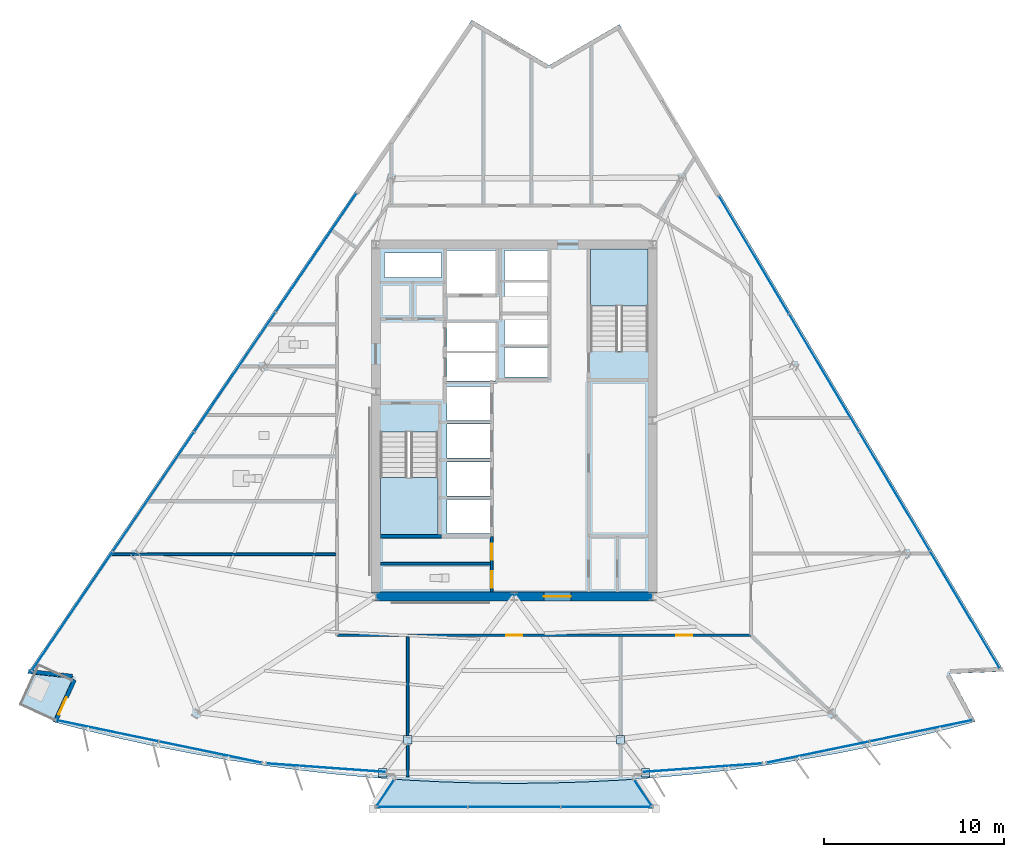
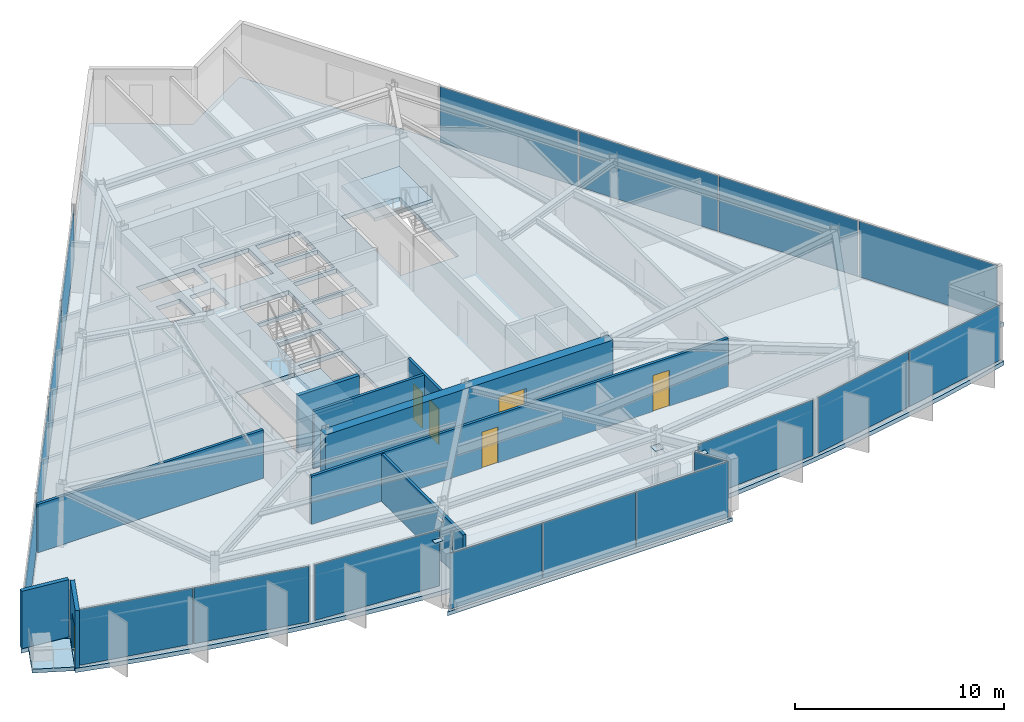
# One storey, part 8 of 16: 23 plates, 9 walls, 6 doors, 5 slabs, 6 openings, 11 elements without a shape of their own.
"""IFC4 building model written with IfcOpenShell, lengths in metres."""

from ifc_helpers import new_model, si_unit, direction, frame, frame_2d, origin, origin_2d, place, context, subcontext, project, spatial, polyline, rectangle, outline, extrude, material, layer, layer_set, type_object, element, fill, aggregate, save


model = new_model("IFC4")

# Units and contexts
model_context = context("Model", 3, precision=1e-05, world=origin(), true_north=direction((0.0, 1.0)))
body_context = subcontext(model_context, "Body", "Model", "MODEL_VIEW")
ifc_project = project(units=[si_unit("LENGTHUNIT", "METRE"), si_unit("AREAUNIT", "SQUARE_METRE"), si_unit("VOLUMEUNIT", "CUBIC_METRE"), si_unit("PLANEANGLEUNIT", "RADIAN"), si_unit("MASSUNIT", "GRAM", prefix="KILO")], contexts=[model_context])

# Site, building, storey
site_placement = place(None, origin())
site = spatial("IfcSite", under=ifc_project, at=site_placement, CompositionType="ELEMENT")
building_placement = place(site_placement, origin())
building = spatial("IfcBuilding", under=site, at=building_placement, Name="Savorim Split Tower", CompositionType="ELEMENT")
storey_placement = place(building_placement, frame((0.0, 0.0, 160.199951171875)))
storey = spatial("IfcBuildingStorey", under=building, at=storey_placement, Name="L42", CompositionType="ELEMENT", Elevation=160.199951171875)

# Curtain wall, plates
ifc_material_1 = material(Name="Dark Ceramic-Fritted Insulated Glass", Category="glass")
curtain_wall_type_1 = type_object("IfcCurtainWallType", Name="CW-TWR-FRIT-B", PredefinedType="NOTDEFINED", material=ifc_material_1)
curtain_wall_1_placement = place(storey_placement, origin())
curtain_wall_1 = element("IfcCurtainWall", 1, at=curtain_wall_1_placement, inside=storey, type_object=curtain_wall_type_1, Name="L42 Curtain Wall CW-L42-SF1A", PredefinedType="NOTDEFINED")
ifc_layer_1 = layer(ifc_material_1, 0.02587890625)
ifc_layer_set_1 = layer_set([ifc_layer_1], Name="CWP-FRITB-26")
plate_type_1 = type_object("IfcPlateType", Name="CWP-FRITB-26", PredefinedType="CURTAIN_PANEL", material=ifc_layer_set_1)
plate_1_placement = place(storey_placement, frame((-22.65234375, -16.870849609375, 0.050048828125), z_axis=(0.0, 0.0, 1.0), x_axis=(0.979134697741, -0.20321231183, 0.0)))
plate_1 = element("IfcPlate", 2, at=plate_1_placement, type_object=plate_type_1, Name="CW-03 panel 1.1", PredefinedType="CURTAIN_PANEL", context=body_context, shape_type="SweptSolid", body=[
    extrude(rectangle(XDim=5.80126953125, YDim=0.02587890625, at=origin_2d()), origin(), (0.0, 0.0, 1.0), 3.25),
])
plate_2_placement = place(storey_placement, frame((-16.913330078125, -18.06201171875, 0.050048828125), z_axis=(0.0, 0.0, 1.0), x_axis=(0.979134697741, -0.20321231183, 0.0)))
plate_2 = element("IfcPlate", 3, at=plate_2_placement, type_object=plate_type_1, Name="CW-03 panel 2.1", PredefinedType="CURTAIN_PANEL", context=body_context, shape_type="SweptSolid", body=[
    extrude(rectangle(XDim=5.80126953125, YDim=0.02587890625, at=origin_2d()), origin(), (0.0, 0.0, 1.0), 3.25),
])
aggregate(curtain_wall_1, [plate_1, plate_2])

# Curtain wall, plate
curtain_wall_2_placement = place(storey_placement, origin())
curtain_wall_2 = element("IfcCurtainWall", 4, at=curtain_wall_2_placement, inside=storey, type_object=curtain_wall_type_1, Name="L42 Curtain Wall CW-L42-SF2A", PredefinedType="NOTDEFINED")
plate_3_placement = place(storey_placement, frame((-10.46484375, -18.930419921875, 0.050048828125), z_axis=(0.0, 0.0, 1.0), x_axis=(0.997436778761, -0.071553283467, 0.0)))
plate_3 = element("IfcPlate", 5, at=plate_3_placement, type_object=plate_type_1, Name="CW-03 panel 1.1", PredefinedType="CURTAIN_PANEL", context=body_context, shape_type="SweptSolid", body=[
    extrude(rectangle(XDim=6.633056640625, YDim=0.02587890625, at=origin_2d()), origin(), (0.0, 0.0, 1.0), 3.25),
])
aggregate(curtain_wall_2, [plate_3])

curtain_wall_3_placement = place(storey_placement, origin())
curtain_wall_3 = element("IfcCurtainWall", 6, at=curtain_wall_3_placement, inside=storey, type_object=curtain_wall_type_1, Name="L42 Curtain Wall CW-L42-SF3A", PredefinedType="NOTDEFINED")
plate_4_placement = place(storey_placement, frame((10.46484375, -18.930419921875, 0.050048828125), z_axis=(0.0, 0.0, 1.0), x_axis=(0.997436778761, 0.071553283467, 0.0)))
plate_4 = element("IfcPlate", 7, at=plate_4_placement, type_object=plate_type_1, Name="CW-03 panel 1.1", PredefinedType="CURTAIN_PANEL", context=body_context, shape_type="SweptSolid", body=[
    extrude(rectangle(XDim=6.633056640625, YDim=0.02587890625, at=origin_2d()), origin(), (0.0, 0.0, 1.0), 3.25),
])
aggregate(curtain_wall_3, [plate_4])

# Curtain wall, plates
curtain_wall_4_placement = place(storey_placement, origin())
curtain_wall_4 = element("IfcCurtainWall", 8, at=curtain_wall_4_placement, inside=storey, type_object=curtain_wall_type_1, Name="L42 Curtain Wall CW-L42-SF4A", PredefinedType="NOTDEFINED")
plate_5_placement = place(storey_placement, frame((16.913330078125, -18.06201171875, 0.050048828125), z_axis=(0.0, 0.0, 1.0), x_axis=(0.979134697741, 0.20321231183, 0.0)))
plate_5 = element("IfcPlate", 9, at=plate_5_placement, type_object=plate_type_1, Name="CW-03 panel 1.1", PredefinedType="CURTAIN_PANEL", context=body_context, shape_type="SweptSolid", body=[
    extrude(rectangle(XDim=5.80126953125, YDim=0.02587890625, at=origin_2d()), origin(), (0.0, 0.0, 1.0), 3.25),
])
plate_6_placement = place(storey_placement, frame((22.65234375, -16.870849609375, 0.050048828125), z_axis=(0.0, 0.0, 1.0), x_axis=(0.979134697741, 0.20321231183, 0.0)))
plate_6 = element("IfcPlate", 10, at=plate_6_placement, type_object=plate_type_1, Name="CW-03 panel 2.1", PredefinedType="CURTAIN_PANEL", context=body_context, shape_type="SweptSolid", body=[
    extrude(rectangle(XDim=5.80126953125, YDim=0.02587890625, at=origin_2d()), origin(), (0.0, 0.0, 1.0), 3.25),
])
aggregate(curtain_wall_4, [plate_5, plate_6])

curtain_wall_5_placement = place(storey_placement, origin())
curtain_wall_5 = element("IfcCurtainWall", 11, at=curtain_wall_5_placement, inside=storey, type_object=curtain_wall_type_1, Name="L42 Curtain Wall CW-L42-EAST", PredefinedType="NOTDEFINED")
plate_7_placement = place(storey_placement, frame((25.08154296875, -10.132568359375, 0.050048828125), z_axis=(0.0, 0.0, 1.0), x_axis=(-0.511091470039, 0.859526328423, 0.0)))
plate_7 = element("IfcPlate", 12, at=plate_7_placement, type_object=plate_type_1, Name="CW-03 panel 1.1", PredefinedType="CURTAIN_PANEL", context=body_context, shape_type="SweptSolid", body=[
    extrude(rectangle(XDim=7.579345703125, YDim=0.02587890625, at=origin_2d()), origin(), (0.0, 0.0, 1.0), 3.25),
])
plate_8_placement = place(storey_placement, frame((21.169677734375, -3.553466796875, 0.050048828125), z_axis=(0.0, 0.0, 1.0), x_axis=(-0.511091470039, 0.859526328423, 0.0)))
plate_8 = element("IfcPlate", 13, at=plate_8_placement, type_object=plate_type_1, Name="CW-03 panel 2.1", PredefinedType="CURTAIN_PANEL", context=body_context, shape_type="SweptSolid", body=[
    extrude(rectangle(XDim=7.609130859375, YDim=0.02587890625, at=origin_2d()), origin(), (0.0, 0.0, 1.0), 3.25),
])
plate_9_placement = place(storey_placement, frame((17.25, 3.038330078125, 0.050048828125), z_axis=(0.0, 0.0, 1.0), x_axis=(-0.511091470039, 0.859526328423, 0.0)))
plate_9 = element("IfcPlate", 14, at=plate_9_placement, type_object=plate_type_1, Name="CW-03 panel 3.1", PredefinedType="CURTAIN_PANEL", context=body_context, shape_type="SweptSolid", body=[
    extrude(rectangle(XDim=7.609130859375, YDim=0.02587890625, at=origin_2d()), origin(), (0.0, 0.0, 1.0), 3.25),
])
plate_10_placement = place(storey_placement, frame((13.337890625, 9.617431640625, 0.050048828125), z_axis=(0.0, 0.0, 1.0), x_axis=(-0.511091470039, 0.859526328423, 0.0)))
plate_10 = element("IfcPlate", 15, at=plate_10_placement, type_object=plate_type_1, Name="CW-03 panel 4.1", PredefinedType="CURTAIN_PANEL", context=body_context, shape_type="SweptSolid", body=[
    extrude(rectangle(XDim=7.579345703125, YDim=0.02587890625, at=origin_2d()), origin(), (0.0, 0.0, 1.0), 3.25),
])
aggregate(curtain_wall_5, [plate_7, plate_8, plate_9, plate_10])

curtain_wall_6_placement = place(storey_placement, origin())
curtain_wall_6 = element("IfcCurtainWall", 16, at=curtain_wall_6_placement, inside=storey, type_object=curtain_wall_type_1, Name="L42 Curtain Wall CW-L42-WEST", PredefinedType="NOTDEFINED")
plate_11_placement = place(storey_placement, frame((-11.0244140625, 9.73828125, 0.050048828125), z_axis=(0.0, 0.0, 1.0), x_axis=(-0.562466456356, -0.826820104662, 0.0)))
plate_11 = element("IfcPlate", 17, at=plate_11_placement, type_object=plate_type_1, Name="CW-03 panel 1.1", PredefinedType="CURTAIN_PANEL", context=body_context, shape_type="SweptSolid", body=[
    extrude(rectangle(XDim=7.965576171875, YDim=0.02587890625, at=origin_2d()), origin(), (0.0, 0.0, 1.0), 3.25),
])
plate_12_placement = place(storey_placement, frame((-15.547119140625, 3.090087890625, 0.050048828125), z_axis=(0.0, 0.0, 1.0), x_axis=(-0.562466456356, -0.826820104662, 0.0)))
plate_12 = element("IfcPlate", 18, at=plate_12_placement, type_object=plate_type_1, Name="CW-03 panel 2.1", PredefinedType="CURTAIN_PANEL", context=body_context, shape_type="SweptSolid", body=[
    extrude(rectangle(XDim=7.99560546875, YDim=0.02587890625, at=origin_2d()), origin(), (0.0, 0.0, 1.0), 3.25),
])
plate_13_placement = place(storey_placement, frame((-20.077880859375, -3.5703125, 0.050048828125), z_axis=(0.0, 0.0, 1.0), x_axis=(-0.562466456356, -0.826820104662, 0.0)))
plate_13 = element("IfcPlate", 19, at=plate_13_placement, type_object=plate_type_1, Name="CW-03 panel 3.1", PredefinedType="CURTAIN_PANEL", context=body_context, shape_type="SweptSolid", body=[
    extrude(rectangle(XDim=7.99560546875, YDim=0.02587890625, at=origin_2d()), origin(), (0.0, 0.0, 1.0), 3.25),
])
plate_14_placement = place(storey_placement, frame((-24.6005859375, -10.218505859375, 0.050048828125), z_axis=(0.0, 0.0, 1.0), x_axis=(-0.562466456356, -0.826820104662, 0.0)))
plate_14 = element("IfcPlate", 20, at=plate_14_placement, type_object=plate_type_1, Name="CW-03 panel 4.1", PredefinedType="CURTAIN_PANEL", context=body_context, shape_type="SweptSolid", body=[
    extrude(rectangle(XDim=7.965576171875, YDim=0.02587890625, at=origin_2d()), origin(), (0.0, 0.0, 1.0), 3.25),
])
aggregate(curtain_wall_6, [plate_11, plate_12, plate_13, plate_14])

curtain_wall_type_2 = type_object("IfcCurtainWallType", Name="CW-BAY-LOUNGE", PredefinedType="NOTDEFINED", material=ifc_material_1)
curtain_wall_7_placement = place(storey_placement, origin())
curtain_wall_7 = element("IfcCurtainWall", 21, at=curtain_wall_7_placement, inside=storey, type_object=curtain_wall_type_2, Name="L42 Curtain Wall CW-L42-BAYF", PredefinedType="NOTDEFINED")
ifc_material_2 = material(Name="Low-E Operable Double Glazing", Category="glass")
ifc_layer_2 = layer(ifc_material_2, 0.031982421875)
ifc_layer_set_2 = layer_set([ifc_layer_2], Name="CWP-POD-32")
plate_type_2 = type_object("IfcPlateType", Name="CWP-POD-32", PredefinedType="CURTAIN_PANEL", material=ifc_layer_set_2)
plate_15_placement = place(storey_placement, frame((-5.152587890625, -21.10888671875, 0.05517578125), z_axis=(0.0, 0.0, 1.0), x_axis=(1.0, 0.0, 0.0)))
plate_15 = element("IfcPlate", 22, at=plate_15_placement, type_object=plate_type_2, Name="CW-04 panel 1.1", PredefinedType="CURTAIN_PANEL", context=body_context, shape_type="SweptSolid", body=[
    extrude(rectangle(XDim=5.0712890625, YDim=0.031982421875, at=origin_2d()), origin(), (0.0, 0.0, 1.0), 3.239990234375),
])
plate_16_placement = place(storey_placement, frame((0.0, -21.10888671875, 0.05517578125), z_axis=(0.0, 0.0, 1.0), x_axis=(1.0, 0.0, 0.0)))
plate_16 = element("IfcPlate", 23, at=plate_16_placement, type_object=plate_type_2, Name="CW-04 panel 2.1", PredefinedType="CURTAIN_PANEL", context=body_context, shape_type="SweptSolid", body=[
    extrude(rectangle(XDim=5.103759765625, YDim=0.031982421875, at=origin_2d()), origin(), (0.0, 0.0, 1.0), 3.239990234375),
])
plate_17_placement = place(storey_placement, frame((5.152587890625, -21.10888671875, 0.05517578125), z_axis=(0.0, 0.0, 1.0), x_axis=(1.0, 0.0, 0.0)))
plate_17 = element("IfcPlate", 24, at=plate_17_placement, type_object=plate_type_2, Name="CW-04 panel 3.1", PredefinedType="CURTAIN_PANEL", context=body_context, shape_type="SweptSolid", body=[
    extrude(rectangle(XDim=5.0712890625, YDim=0.031982421875, at=origin_2d()), origin(), (0.0, 0.0, 1.0), 3.239990234375),
])
aggregate(curtain_wall_7, [plate_15, plate_16, plate_17])

# Curtain wall, plate
curtain_wall_8_placement = place(storey_placement, origin())
curtain_wall_8 = element("IfcCurtainWall", 25, at=curtain_wall_8_placement, inside=storey, type_object=curtain_wall_type_2, Name="L42 Curtain Wall CW-L42-BAYW", PredefinedType="NOTDEFINED")
plate_18_placement = place(storey_placement, frame((-7.167236328125, -20.330322265625, 0.05517578125), z_axis=(0.0, 0.0, 1.0), x_axis=(-0.554712772113, -0.832041910275, 0.0)))
plate_18 = element("IfcPlate", 26, at=plate_18_placement, type_object=plate_type_2, Name="CW-04 panel 1.1", PredefinedType="CURTAIN_PANEL", context=body_context, shape_type="SweptSolid", body=[
    extrude(rectangle(XDim=1.705078125, YDim=0.031982421875, at=origin_2d()), origin(), (0.0, 0.0, 1.0), 3.239990234375),
])
aggregate(curtain_wall_8, [plate_18])

curtain_wall_9_placement = place(storey_placement, origin())
curtain_wall_9 = element("IfcCurtainWall", 27, at=curtain_wall_9_placement, inside=storey, type_object=curtain_wall_type_2, Name="L42 Curtain Wall CW-L42-BAYE", PredefinedType="NOTDEFINED")
plate_19_placement = place(storey_placement, frame((7.167236328125, -20.330322265625, 0.05517578125), z_axis=(0.0, 0.0, 1.0), x_axis=(-0.554712772113, 0.832041910275, 0.0)))
plate_19 = element("IfcPlate", 28, at=plate_19_placement, type_object=plate_type_2, Name="CW-04 panel 1.1", PredefinedType="CURTAIN_PANEL", context=body_context, shape_type="SweptSolid", body=[
    extrude(rectangle(XDim=1.705078125, YDim=0.031982421875, at=origin_2d()), origin(), (0.0, 0.0, 1.0), 3.239990234375),
])
aggregate(curtain_wall_9, [plate_19])

# Plates
ifc_material_3 = material(Name="Steel S460", Category="steel")
ifc_layer_3 = layer(ifc_material_3, 0.02490234375)
ifc_layer_set_3 = layer_set([ifc_layer_3], Name="PLT-NODE-CN1")
plate_type_3 = type_object("IfcPlateType", Name="PLT-NODE-CN1", PredefinedType="SHEET", material=ifc_layer_set_3)
for number, where, z_axis, x_axis, name in (
    (29, (-5.9189453125, -17.372314453125, 2.4375), (0.0, 0.0, 1.0), (1.0, 0.0, 0.0), "L42 Bay Strut Column Gusset Plate 1"),
    (30, (-7.315185546875, -19.216064453125, 2.8076171875), (0.0, 0.0, 1.0), (1.0, 0.0, 0.0), "L42 Bay Strut Tip Gusset Plate 1"),
    (31, (5.9189453125, -17.372314453125, 2.4375), (0.0, 0.0, 1.0), (1.0, 0.0, 0.0), "L42 Bay Strut Column Gusset Plate 2"),
    (32, (7.315185546875, -19.216064453125, 2.8076171875), (0.0, 0.0, 1.0), (1.0, 0.0, 0.0), "L42 Bay Strut Tip Gusset Plate 2"),
):
    element("IfcPlate", number, at=place(storey_placement, frame(where, z_axis=z_axis, x_axis=x_axis)), inside=storey, type_object=plate_type_3, Name=name, PredefinedType="SHEET", context=body_context, shape_type="SweptSolid", body=[
        extrude(rectangle(XDim=0.4599609375, YDim=0.4599609375, at=origin_2d()), origin(), (0.0, 0.0, 1.0), 0.02490234375),
    ])

# Slabs
ifc_material_4 = material(Name="Concrete C50/60", Category="concrete")
ifc_layer_4 = layer(ifc_material_4, 0.219970703125)
ifc_layer_set_4 = layer_set([ifc_layer_4], Name="SLB-BAL-220")
slab_type_1 = type_object("IfcSlabType", Name="SLB-BAL-220", PredefinedType="FLOOR", material=ifc_layer_set_4)
slab_1_placement = place(storey_placement, frame((0.0, 0.0, -0.219970703125)))
element("IfcSlab", 33, at=slab_1_placement, inside=storey, type_object=slab_type_1, Name="L42 Cantilevered Shared Kitchen Lounge Slab", PredefinedType="FLOOR", context=body_context, shape_type="SweptSolid", body=[
    extrude(outline(polyline([(6.774658203125, -19.561279296875), (5.991455078125, -19.61767578125), (3.99560546875, -19.7197265625), (1.998291015625, -19.78125), (0.0, -19.801513671875), (-1.998291015625, -19.78125), (-3.99560546875, -19.7197265625), (-5.991455078125, -19.61767578125), (-6.774658203125, -19.561279296875), (-7.873046875, -21.208984375), (7.873046875, -21.208984375), (6.774658203125, -19.561279296875)])), origin(), (0.0, 0.0, 1.0), 0.219970703125),
])
slab_2_placement = place(storey_placement, frame((0.0, 0.0, -0.219970703125)))
element("IfcSlab", 34, at=slab_2_placement, inside=storey, type_object=slab_type_1, Name="L42 Notched Corner Planted Tree Balcony Slab", PredefinedType="FLOOR", context=body_context, shape_type="SweptSolid", body=[
    extrude(outline(polyline([(-25.628173828125, -16.25537109375), (-24.62158203125, -14.06494140625), (-24.93212890625, -13.92236328125), (-26.71533203125, -13.723388671875), (-27.486328125, -15.401611328125), (-25.628173828125, -16.25537109375)])), origin(), (0.0, 0.0, 1.0), 0.219970703125),
])

# Stair, slab
stair_type = type_object("IfcStairType", Name="STR-DOG-3600", PredefinedType="HALF_TURN_STAIR", material=ifc_material_4)
stair_1_placement = place(storey_placement, origin())
stair_1 = element("IfcStair", 35, at=stair_1_placement, inside=storey, type_object=stair_type, Name="L42 Core Protected Exit Stair ST-1", PredefinedType="HALF_TURN_STAIR")
ifc_layer_5 = layer(ifc_material_4, 0.199951171875)
ifc_layer_set_5 = layer_set([ifc_layer_5], Name="SLB-LND-200")
slab_type_2 = type_object("IfcSlabType", Name="SLB-LND-200", PredefinedType="LANDING", material=ifc_layer_set_5)
slab_3_placement = place(storey_placement, frame((0.0, 0.0, 1.60009765625)))
slab_3 = element("IfcSlab", 36, at=slab_3_placement, type_object=slab_type_2, Name="ST-1 landing 1", PredefinedType="LANDING", context=body_context, shape_type="SweptSolid", body=[
    extrude(outline(polyline([(-7.449951171875, -2.77001953125), (-7.449951171875, -5.949951171875), (-4.25, -5.949951171875), (-4.25, -2.77001953125), (-7.449951171875, -2.77001953125)])), origin(), (0.0, 0.0, 1.0), 0.199951171875),
])
aggregate(stair_1, [slab_3])

stair_2_placement = place(storey_placement, origin())
stair_2 = element("IfcStair", 37, at=stair_2_placement, inside=storey, type_object=stair_type, Name="L42 Core Protected Exit Stair ST-2", PredefinedType="HALF_TURN_STAIR")
slab_4_placement = place(storey_placement, frame((0.0, 0.0, 1.60009765625)))
slab_4 = element("IfcSlab", 38, at=slab_4_placement, type_object=slab_type_2, Name="ST-2 landing 1", PredefinedType="LANDING", context=body_context, shape_type="SweptSolid", body=[
    extrude(outline(polyline([(7.449951171875, 6.77001953125), (7.449951171875, 9.949951171875), (4.25, 9.949951171875), (4.25, 6.77001953125), (7.449951171875, 6.77001953125)])), origin(), (0.0, 0.0, 1.0), 0.199951171875),
])
aggregate(stair_2, [slab_4])

# Slab
ifc_layer_6 = layer(ifc_material_4, 0.25)
ifc_layer_set_6 = layer_set([ifc_layer_6], Name="SLB-TWR-250")
slab_type_3 = type_object("IfcSlabType", Name="SLB-TWR-250", PredefinedType="FLOOR", material=ifc_layer_set_6)
slab_5_placement = place(storey_placement, frame((0.0, 0.0, -0.25)))
element("IfcSlab", 39, at=slab_5_placement, inside=storey, type_object=slab_type_3, Name="L42 Structural Floor Slab", PredefinedType="FLOOR", context=body_context, shape_type="SweptSolid", body=[
    extrude(outline(polyline([(-25.673583984375, -16.366455078125), (-23.740234375, -16.8720703125), (-21.797119140625, -17.337890625), (-19.844482421875, -17.763916015625), (-17.8837890625, -18.150146484375), (-15.915771484375, -18.495849609375), (-13.94091796875, -18.801513671875), (-11.960205078125, -19.06640625), (-9.974609375, -19.291015625), (-7.984619140625, -19.474609375), (-5.991455078125, -19.61767578125), (-3.99560546875, -19.7197265625), (-1.998291015625, -19.78125), (0.0, -19.801513671875), (1.998291015625, -19.78125), (3.99560546875, -19.7197265625), (5.991455078125, -19.61767578125), (7.984619140625, -19.474609375), (9.974609375, -19.291015625), (11.960205078125, -19.06640625), (13.94091796875, -18.801513671875), (15.915771484375, -18.495849609375), (17.8837890625, -18.150146484375), (19.844482421875, -17.763916015625), (21.797119140625, -17.337890625), (23.740234375, -16.8720703125), (25.673583984375, -16.366455078125), (24.24169921875, -13.69775390625), (27.2646484375, -13.569091796875), (5.852294921875, 22.44091796875), (1.943603515625, 20.162841796875), (-2.358154296875, 22.69091796875), (-27.097412109375, -13.675537109375), (-24.567138671875, -13.9580078125), (-25.673583984375, -16.366455078125)]), holes=[polyline([(-7.449951171875, -0.25390625), (-7.449951171875, -5.949951171875), (-4.25, -5.949951171875), (-4.25, -0.25390625), (-7.449951171875, -0.25390625)]), polyline([(7.449951171875, 4.25390625), (7.449951171875, 9.949951171875), (4.25, 9.949951171875), (4.25, 4.25390625), (7.449951171875, 4.25390625)]), polyline([(-3.75, -5.89990234375), (-1.35009765625, -5.89990234375), (-1.35009765625, -4.0), (-3.75, -4.0), (-3.75, -5.89990234375)]), polyline([(-3.75, -3.800048828125), (-1.35009765625, -3.800048828125), (-1.35009765625, -1.89990234375), (-3.75, -1.89990234375), (-3.75, -3.800048828125)]), polyline([(-3.75, -1.699951171875), (-1.35009765625, -1.699951171875), (-1.35009765625, 0.199951171875), (-3.75, 0.199951171875), (-3.75, -1.699951171875)]), polyline([(-3.75, 0.39990234375), (-1.35009765625, 0.39990234375), (-1.35009765625, 2.300048828125), (-3.75, 2.300048828125), (-3.75, 0.39990234375)]), polyline([(-0.550048828125, 2.830078125), (1.85009765625, 2.830078125), (1.85009765625, 4.469970703125), (-0.550048828125, 4.469970703125), (-0.550048828125, 2.830078125)]), polyline([(-0.550048828125, 4.6298828125), (1.85009765625, 4.6298828125), (1.85009765625, 6.27001953125), (-0.550048828125, 6.27001953125), (-0.550048828125, 4.6298828125)]), polyline([(-0.550048828125, 6.429931640625), (1.85009765625, 6.429931640625), (1.85009765625, 8.070068359375), (-0.550048828125, 8.070068359375), (-0.550048828125, 6.429931640625)]), polyline([(-0.550048828125, 8.22998046875), (1.85009765625, 8.22998046875), (1.85009765625, 9.8701171875), (-0.550048828125, 9.8701171875), (-0.550048828125, 8.22998046875)]), polyline([(-3.75, 2.60009765625), (-1.050048828125, 2.60009765625), (-1.050048828125, 4.159912109375), (-3.75, 4.159912109375), (-3.75, 2.60009765625)]), polyline([(-3.75, 4.280029296875), (-1.050048828125, 4.280029296875), (-1.050048828125, 5.840087890625), (-3.75, 5.840087890625), (-3.75, 4.280029296875)]), polyline([(-3.75, 7.449951171875), (-0.949951171875, 7.449951171875), (-0.949951171875, 9.85009765625), (-3.75, 9.85009765625), (-3.75, 7.449951171875)]), polyline([(-7.219970703125, 6.320068359375), (-5.919921875, 6.320068359375), (-5.919921875, 7.820068359375), (-7.219970703125, 7.820068359375), (-7.219970703125, 6.320068359375)]), polyline([(-5.3798828125, 6.320068359375), (-4.050048828125, 6.320068359375), (-4.050048828125, 7.820068359375), (-5.3798828125, 7.820068359375), (-5.3798828125, 6.320068359375)]), polyline([(-7.219970703125, 8.360107421875), (-4.050048828125, 8.360107421875), (-4.050048828125, 9.719970703125), (-7.219970703125, 9.719970703125), (-7.219970703125, 8.360107421875)])]), origin(), (0.0, 0.0, 1.0), 0.25),
])

# Wall, opening, door
ifc_material_5 = material(Name="Concrete C60/75", Category="concrete")
ifc_layer_7 = layer(ifc_material_5, 0.5)
ifc_layer_set_7 = layer_set([ifc_layer_7], Name="WAL-COR-SH500")
wall_type_1 = type_object("IfcWallType", Name="WAL-COR-SH500", PredefinedType="SHEAR", material=ifc_layer_set_7)
wall_1_placement = place(storey_placement, frame((-7.949951171875, -9.39990234375, 0.0), z_axis=(0.0, 0.0, 1.0), x_axis=(1.0, 0.0, 0.0)))
wall_1 = element("IfcWall", 40, at=wall_1_placement, inside=storey, type_object=wall_type_1, Name="L42 Offset Core South Shear Wall", PredefinedType="SHEAR", context=body_context, shape_type="SweptSolid", body=[
    extrude(rectangle(XDim=15.89990234375, YDim=0.5, at=frame_2d((7.949951171875, 0.0))), origin(), (0.0, 0.0, 1.0), 3.35009765625),
])
opening_1_placement = place(wall_1_placement, frame((9.60009765625, 0.0, 0.0)))
opening_1 = element("IfcOpeningElement", 41, at=opening_1_placement, cuts=wall_1, Name="Opening DI-02", PredefinedType="OPENING", context=body_context, shape_type="SweptSolid", body=[
    extrude(rectangle(XDim=1.5, YDim=2.199951171875, at=frame_2d((0.75, 1.10009765625))), frame((0.0, 0.260009765625, 0.0), z_axis=(0.0, -1.0, 0.0), x_axis=(1.0, 0.0, 0.0)), (0.0, 0.0, 1.0), 0.52001953125),
])
ifc_material_6 = material(Name="Timber Fire Door Leaf", Category="wood")
door_type_1 = type_object("IfcDoorType", Name="DOR-DBL-1500", OperationType="NOTDEFINED", PredefinedType="DOOR", material=ifc_material_6)
door_1_placement = place(opening_1_placement, origin())
door_1 = element("IfcDoor", 42, at=door_1_placement, inside=storey, type_object=door_type_1, Name="DOR-L42-COR-LLOB - L42 Lift Lobby Main Rated Door", OperationType="DOUBLE_DOOR_SINGLE_SWING", OverallHeight=2.199951171875, OverallWidth=1.5, PredefinedType="DOOR", context=body_context, shape_type="SweptSolid", body=[
    extrude(rectangle(XDim=1.5, YDim=2.199951171875, at=frame_2d((0.75, 1.10009765625))), frame((0.0, 0.02490234375, 0.0), z_axis=(0.0, -1.0, 0.0), x_axis=(1.0, 0.0, 0.0)), (0.0, 0.0, 1.0), 0.050048828125),
])
fill(opening_1, door_1)

# Wall
ifc_material_7 = material(Name="Precast concrete C40/50", Category="concrete")
ifc_layer_8 = layer(ifc_material_7, 0.219970703125)
ifc_layer_set_8 = layer_set([ifc_layer_8], Name="WAL-EXT-CRN220")
wall_type_2 = type_object("IfcWallType", Name="WAL-EXT-CRN220", PredefinedType="SOLIDWALL", material=ifc_layer_set_8)
wall_2_placement = place(storey_placement, frame((-24.593505859375, -13.83447265625, 0.0), z_axis=(0.0, 0.0, 1.0), x_axis=(-0.993823222634, 0.110974781609, 0.0)))
element("IfcWall", 43, at=wall_2_placement, inside=storey, type_object=wall_type_2, Name="L42 Notched Corner Facade Wall SW1", PredefinedType="SOLIDWALL", context=body_context, shape_type="SweptSolid", body=[
    extrude(rectangle(XDim=2.466064453125, YDim=0.219970703125, at=frame_2d((1.23291015625, 0.0))), origin(), (0.0, 0.0, 1.0), 3.35009765625),
])

# Wall, opening, door
wall_3_placement = place(storey_placement, frame((-25.5478515625, -16.380126953125, 0.0), z_axis=(0.0, 0.0, 1.0), x_axis=(0.417449299542, 0.908700215864, 0.0)))
wall_3 = element("IfcWall", 44, at=wall_3_placement, inside=storey, type_object=wall_type_2, Name="L42 Notched Corner Facade Wall SW", PredefinedType="SOLIDWALL", context=body_context, shape_type="SweptSolid", body=[
    extrude(rectangle(XDim=2.5703125, YDim=0.219970703125, at=frame_2d((1.28515625, 0.0))), origin(), (0.0, 0.0, 1.0), 3.35009765625),
])
opening_2_placement = place(wall_3_placement, frame((0.460205078125, 0.0, 0.0)))
opening_2 = element("IfcOpeningElement", 45, at=opening_2_placement, cuts=wall_3, Name="Opening DB-01", PredefinedType="OPENING", context=body_context, shape_type="SweptSolid", body=[
    extrude(rectangle(XDim=1.050048828125, YDim=2.14990234375, at=frame_2d((0.52490234375, 1.074951171875))), frame((0.0, 0.119873046875, 0.0), z_axis=(0.0, -1.0, 0.0), x_axis=(1.0, 0.0, 0.0)), (0.0, 0.0, 1.0), 0.239990234375),
])
ifc_material_8 = material(Name="Charcoal Anodised Aluminium", Category="aluminium")
door_type_2 = type_object("IfcDoorType", Name="DOR-BAL-1050", OperationType="NOTDEFINED", PredefinedType="DOOR", material=ifc_material_8)
door_2_placement = place(opening_2_placement, origin())
door_2 = element("IfcDoor", 46, at=door_2_placement, inside=storey, type_object=door_type_2, Name="DOR-L42-TBAL-SW - L42 Planted Tree Balcony Door SW", OperationType="SINGLE_SWING_LEFT", OverallHeight=2.14990234375, OverallWidth=1.050048828125, PredefinedType="DOOR", context=body_context, shape_type="SweptSolid", body=[
    extrude(rectangle(XDim=1.050048828125, YDim=2.14990234375, at=frame_2d((0.52490234375, 1.074951171875))), frame((0.0, 0.02490234375, 0.0), z_axis=(0.0, -1.0, 0.0), x_axis=(1.0, 0.0, 0.0)), (0.0, 0.0, 1.0), 0.050048828125),
])
fill(opening_2, door_2)

# Wall
ifc_layer_9 = layer(ifc_material_4, 0.199951171875)
ifc_layer_set_9 = layer_set([ifc_layer_9], Name="WAL-INT-RC200")
wall_type_3 = type_object("IfcWallType", Name="WAL-INT-RC200", PredefinedType="SOLIDWALL", material=ifc_layer_set_9)
wall_4_placement = place(storey_placement, frame((-7.449951171875, -6.050048828125, 0.0), z_axis=(0.0, 0.0, 1.0), x_axis=(1.0, 0.0, 0.0)))
element("IfcWall", 47, at=wall_4_placement, inside=storey, type_object=wall_type_3, Name="L42 Structural Shaft Wall W-L42-KSEP-W", PredefinedType="SOLIDWALL", context=body_context, shape_type="SweptSolid", body=[
    extrude(rectangle(XDim=3.39990234375, YDim=0.199951171875, at=frame_2d((1.699951171875, 0.0))), origin(), (0.0, 0.0, 1.0), 3.35009765625),
])

# Wall, openings, doors
ifc_material_9 = material(Name="Acoustic Gypsum Partition Board")
ifc_layer_10 = layer(ifc_material_9, 0.14990234375)
ifc_layer_set_10 = layer_set([ifc_layer_10], Name="WAL-PAR-150")
wall_type_4 = type_object("IfcWallType", Name="WAL-PAR-150", PredefinedType="PARTITIONING", material=ifc_layer_set_10)
wall_5_placement = place(storey_placement, frame((-1.25, -9.14501953125, 0.0), z_axis=(0.0, 0.0, 1.0), x_axis=(0.0, 1.0, 0.0)))
wall_5 = element("IfcWall", 48, at=wall_5_placement, inside=storey, type_object=wall_type_4, Name="L42 Partition W-L42-KLOB-W", PredefinedType="PARTITIONING", context=body_context, shape_type="SweptSolid", body=[
    extrude(rectangle(XDim=3.094970703125, YDim=0.14990234375, at=frame_2d((1.54736328125, 0.0))), origin(), (0.0, 0.0, 1.0), 3.35009765625),
])
opening_3_placement = place(wall_5_placement, frame((1.794921875, 0.0, 0.0)))
opening_3 = element("IfcOpeningElement", 49, at=opening_3_placement, cuts=wall_5, Name="Opening DI-06", PredefinedType="OPENING", context=body_context, shape_type="SweptSolid", body=[
    extrude(rectangle(XDim=0.89990234375, YDim=2.10009765625, at=frame_2d((0.449951171875, 1.050048828125))), frame((0.0, 0.0849609375, 0.0), z_axis=(0.0, -1.0, 0.0), x_axis=(1.0, 0.0, 0.0)), (0.0, 0.0, 1.0), 0.169921875),
])
opening_4_placement = place(wall_5_placement, frame((0.2451171875, 0.0, 0.0)))
opening_4 = element("IfcOpeningElement", 50, at=opening_4_placement, cuts=wall_5, Name="Opening DI-11", PredefinedType="OPENING", context=body_context, shape_type="SweptSolid", body=[
    extrude(rectangle(XDim=0.89990234375, YDim=2.10009765625, at=frame_2d((0.449951171875, 1.050048828125))), frame((0.0, 0.0849609375, 0.0), z_axis=(0.0, -1.0, 0.0), x_axis=(1.0, 0.0, 0.0)), (0.0, 0.0, 1.0), 0.169921875),
])
door_type_3 = type_object("IfcDoorType", Name="DOR-FIR-900", OperationType="NOTDEFINED", PredefinedType="DOOR", material=ifc_material_6)
door_3_placement = place(opening_3_placement, origin())
door_3 = element("IfcDoor", 51, at=door_3_placement, inside=storey, type_object=door_type_3, Name="DR-L42-K2CLN - L42 Cleaning Store Door", OperationType="SINGLE_SWING_LEFT", OverallHeight=2.10009765625, OverallWidth=0.89990234375, PredefinedType="DOOR", context=body_context, shape_type="SweptSolid", body=[
    extrude(rectangle(XDim=0.89990234375, YDim=2.10009765625, at=frame_2d((0.449951171875, 1.050048828125))), frame((0.0, 0.02490234375, 0.0), z_axis=(0.0, -1.0, 0.0), x_axis=(1.0, 0.0, 0.0)), (0.0, 0.0, 1.0), 0.050048828125),
])
fill(opening_3, door_3)
ifc_material_10 = material(Name="Oak Veneer Acoustic Door")
door_type_4 = type_object("IfcDoorType", Name="DOR-WC-900", OperationType="NOTDEFINED", PredefinedType="DOOR", material=ifc_material_10)
door_4_placement = place(opening_4_placement, origin())
door_4 = element("IfcDoor", 52, at=door_4_placement, inside=storey, type_object=door_type_4, Name="DR-L42-K2WC - L42 Core WC Door", OperationType="SINGLE_SWING_RIGHT", OverallHeight=2.10009765625, OverallWidth=0.89990234375, PredefinedType="DOOR", context=body_context, shape_type="SweptSolid", body=[
    extrude(rectangle(XDim=0.89990234375, YDim=2.10009765625, at=frame_2d((0.449951171875, 1.050048828125))), frame((0.0, 0.02490234375, 0.0), z_axis=(0.0, -1.0, 0.0), x_axis=(1.0, 0.0, 0.0)), (0.0, 0.0, 1.0), 0.050048828125),
])
fill(opening_4, door_4)

# Wall
wall_6_placement = place(storey_placement, frame((-7.445068359375, -7.580078125, 0.0), z_axis=(0.0, 0.0, 1.0), x_axis=(1.0, 0.0, 0.0)))
element("IfcWall", 53, at=wall_6_placement, inside=storey, type_object=wall_type_4, Name="L42 Partition W-L42-K2H", PredefinedType="PARTITIONING", context=body_context, shape_type="SweptSolid", body=[
    extrude(rectangle(XDim=6.195068359375, YDim=0.14990234375, at=frame_2d((3.09765625, 0.0))), origin(), (0.0, 0.0, 1.0), 3.35009765625),
])

# Wall, openings, doors
wall_7_placement = place(storey_placement, frame((13.179931640625, -11.56005859375, 0.0), z_axis=(0.0, 0.0, 1.0), x_axis=(-1.0, 0.0, 0.0)))
wall_7 = element("IfcWall", 54, at=wall_7_placement, inside=storey, type_object=wall_type_4, Name="L42 Partition W-L42-COR-06", PredefinedType="PARTITIONING", context=body_context, shape_type="SweptSolid", body=[
    extrude(rectangle(XDim=23.0400390625, YDim=0.14990234375, at=frame_2d((11.52001953125, 0.0))), origin(), (0.0, 0.0, 1.0), 2.824951171875),
])
opening_5_placement = place(wall_7_placement, frame((12.72998046875, 0.0, 0.0)))
opening_5 = element("IfcOpeningElement", 55, at=opening_5_placement, cuts=wall_7, Name="Opening DI-06", PredefinedType="OPENING", context=body_context, shape_type="SweptSolid", body=[
    extrude(rectangle(XDim=0.89990234375, YDim=2.10009765625, at=frame_2d((0.449951171875, 1.050048828125))), frame((0.0, 0.0849609375, 0.0), z_axis=(0.0, -1.0, 0.0), x_axis=(1.0, 0.0, 0.0)), (0.0, 0.0, 1.0), 0.169921875),
])
opening_6_placement = place(wall_7_placement, frame((3.267333984375, 0.0, 0.0)))
opening_6 = element("IfcOpeningElement", 56, at=opening_6_placement, cuts=wall_7, Name="Opening DI-06", PredefinedType="OPENING", context=body_context, shape_type="SweptSolid", body=[
    extrude(rectangle(XDim=0.89990234375, YDim=2.10009765625, at=frame_2d((0.449951171875, 1.050048828125))), frame((0.0, 0.0849609375, 0.0), z_axis=(0.0, -1.0, 0.0), x_axis=(1.0, 0.0, 0.0)), (0.0, 0.0, 1.0), 0.169921875),
])
door_5_placement = place(opening_5_placement, origin())
door_5 = element("IfcDoor", 57, at=door_5_placement, inside=storey, type_object=door_type_3, Name="DR-L42-RM05 - L42 Co-Working Commons Entry Door", OperationType="SINGLE_SWING_RIGHT", OverallHeight=2.10009765625, OverallWidth=0.89990234375, PredefinedType="DOOR", context=body_context, shape_type="SweptSolid", body=[
    extrude(rectangle(XDim=0.89990234375, YDim=2.10009765625, at=frame_2d((0.449951171875, 1.050048828125))), frame((0.0, 0.02490234375, 0.0), z_axis=(0.0, -1.0, 0.0), x_axis=(1.0, 0.0, 0.0)), (0.0, 0.0, 1.0), 0.050048828125),
])
fill(opening_5, door_5)
door_6_placement = place(opening_6_placement, origin())
door_6 = element("IfcDoor", 58, at=door_6_placement, inside=storey, type_object=door_type_3, Name="DR-L42-RM06 - L42 Co-Working Commons Entry Door", OperationType="SINGLE_SWING_LEFT", OverallHeight=2.10009765625, OverallWidth=0.89990234375, PredefinedType="DOOR", context=body_context, shape_type="SweptSolid", body=[
    extrude(rectangle(XDim=0.89990234375, YDim=2.10009765625, at=frame_2d((0.449951171875, 1.050048828125))), frame((0.0, 0.02490234375, 0.0), z_axis=(0.0, -1.0, 0.0), x_axis=(1.0, 0.0, 0.0)), (0.0, 0.0, 1.0), 0.050048828125),
])
fill(opening_6, door_6)

# Walls
wall_8_placement = place(storey_placement, frame((-5.92333984375, -11.6201171875, 0.0), z_axis=(0.0, 0.0, 1.0), x_axis=(0.0, -1.0, 0.0)))
element("IfcWall", 59, at=wall_8_placement, inside=storey, type_object=wall_type_4, Name="L42 Partition W-L42-PRAD02", PredefinedType="PARTITIONING", context=body_context, shape_type="SweptSolid", body=[
    extrude(rectangle(XDim=7.830810546875, YDim=0.14990234375, at=frame_2d((3.91552734375, 0.0))), origin(), (0.0, 0.0, 1.0), 2.775146484375),
])
wall_9_placement = place(storey_placement, frame((-9.919921875, -7.052734375, 0.0), z_axis=(0.0, 0.0, 1.0), x_axis=(-1.0, 0.0, 0.0)))
element("IfcWall", 60, at=wall_9_placement, inside=storey, type_object=wall_type_4, Name="L42 Partition W-L42-PRAD10", PredefinedType="PARTITIONING", context=body_context, shape_type="SweptSolid", body=[
    extrude(rectangle(XDim=12.466552734375, YDim=0.14990234375, at=frame_2d((6.2333984375, 0.0))), origin(), (0.0, 0.0, 1.0), 2.824951171875),
])

save(model, "model.ifc")
